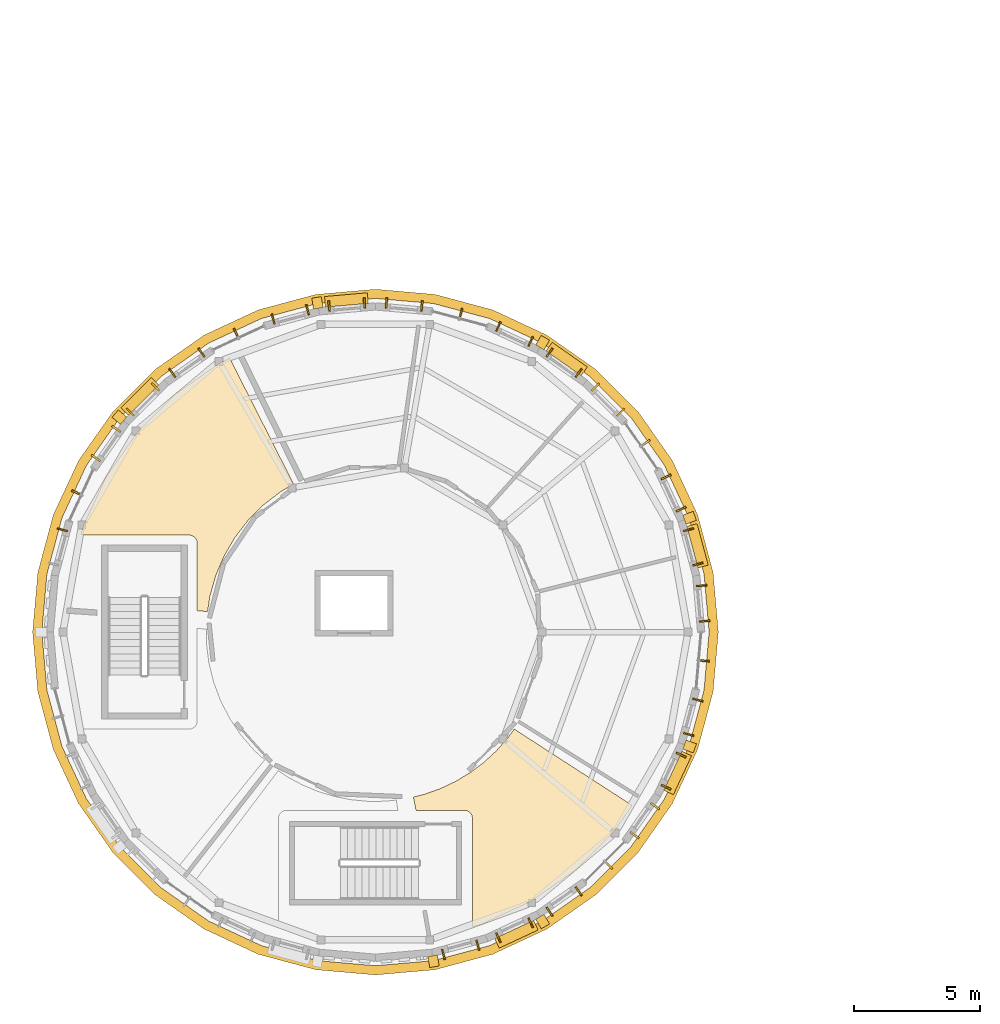
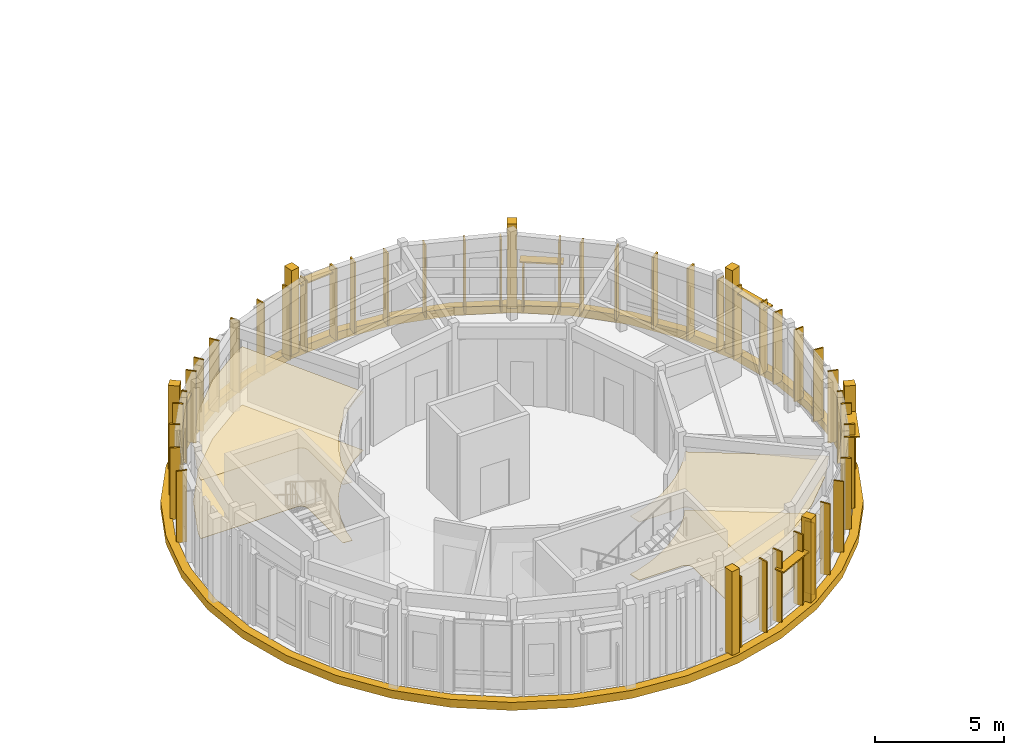
# One storey, part 31 of 37: 49 shading devices, 12 coverings.
"""IFC4 building model written with IfcOpenShell, lengths in metres."""

from ifc_helpers import new_model, si_unit, direction, frame, origin, origin_2d, place, context, subcontext, project, spatial, polyline, rectangle, outline, extrude, material, layer, layer_set, type_object, element, save


model = new_model("IFC4")

# Units and contexts
model_context = context("Model", 3, precision=1e-05, world=origin(), true_north=direction((0.0, 1.0)))
body_context = subcontext(model_context, "Body", "Model", "MODEL_VIEW")
ifc_project = project(units=[si_unit("LENGTHUNIT", "METRE"), si_unit("AREAUNIT", "SQUARE_METRE"), si_unit("VOLUMEUNIT", "CUBIC_METRE"), si_unit("PLANEANGLEUNIT", "RADIAN"), si_unit("MASSUNIT", "GRAM", prefix="KILO")], contexts=[model_context])

# Site, building, storey
site_placement = place(None, origin())
site = spatial("IfcSite", under=ifc_project, at=site_placement, CompositionType="ELEMENT")
building_placement = place(site_placement, origin())
building = spatial("IfcBuilding", under=site, at=building_placement, Name="Aldenvaro Health Centre", CompositionType="ELEMENT")
storey_placement = place(building_placement, frame((0.0, 0.0, 12.949951171875)))
storey = spatial("IfcBuildingStorey", under=building, at=storey_placement, Name="L03", CompositionType="ELEMENT", Elevation=12.949951171875)

# Coverings
ifc_material_1 = material(Name="Antimicrobial Mineral Fibre Ceiling")
ifc_layer_1 = layer(ifc_material_1, 0.01806640625, Name="Antimicrobial Mineral Fibre Ceiling")
ifc_layer_set_1 = layer_set([ifc_layer_1], Name="Antimicrobial Mineral Fibre Ceiling")
covering_type_1 = type_object("IfcCoveringType", Name="COV-CLG-ACT18", PredefinedType="CEILING", material=ifc_layer_set_1)
covering_1_placement = place(storey_placement, frame((0.0, 0.0, 2.75)))
element("IfcCovering", 1, at=covering_1_placement, inside=storey, type_object=covering_type_1, Name="D5-L03-R01 Suspended Ceiling", PredefinedType="CEILING", context=body_context, shape_type="SweptSolid", body=[
    extrude(outline(polyline([(14.743896484375, 24.06005859375), (14.718994140625, 24.0419921875), (14.070068359375, 23.5390625), (14.047119140625, 23.51904296875), (13.467041015625, 22.93798828125), (13.447021484375, 22.9150390625), (12.946044921875, 22.264892578125), (12.928955078125, 22.239013671875), (12.513916015625, 21.531005859375), (12.5, 21.50390625), (12.177978515625, 20.7490234375), (12.16796875, 20.719970703125), (11.945068359375, 19.929931640625), (11.93798828125, 19.89990234375), (11.85009765625, 19.31103515625), (11.43994140625, 19.345947265625), (11.43994140625, 22.02001953125), (11.43994140625, 22.031982421875), (11.43896484375, 22.0400390625), (11.43701171875, 22.06298828125), (11.43603515625, 22.071044921875), (11.430908203125, 22.093994140625), (11.428955078125, 22.10205078125), (11.423095703125, 22.1240234375), (11.419921875, 22.131103515625), (11.410888671875, 22.153076171875), (11.407958984375, 22.159912109375), (11.39599609375, 22.180908203125), (11.39208984375, 22.18798828125), (11.37890625, 22.20703125), (11.375, 22.214111328125), (11.360107421875, 22.23193359375), (11.35400390625, 22.238037109375), (11.337890625, 22.25390625), (11.33203125, 22.260009765625), (11.31396484375, 22.27490234375), (11.306884765625, 22.279052734375), (11.2880859375, 22.2919921875), (11.281005859375, 22.2958984375), (11.260009765625, 22.30810546875), (11.2529296875, 22.31103515625), (11.23095703125, 22.320068359375), (11.22412109375, 22.322998046875), (11.201904296875, 22.3291015625), (11.194091796875, 22.3310546875), (11.1708984375, 22.3359375), (11.1630859375, 22.3369140625), (11.139892578125, 22.339111328125), (11.132080078125, 22.340087890625), (11.1201171875, 22.340087890625), (6.823974609375, 22.340087890625), (6.924072265625, 22.712890625), (7.8310546875, 24.658935546875), (9.06298828125, 26.4189453125), (10.5810546875, 27.93701171875), (12.341064453125, 29.1689453125), (12.72705078125, 29.34912109375), (15.257080078125, 24.362060546875), (14.743896484375, 24.06005859375)])), origin(), (0.0, 0.0, 1.0), 0.01806640625),
])
covering_2_placement = place(storey_placement, frame((0.0, 0.0, 2.75)))
element("IfcCovering", 2, at=covering_2_placement, inside=storey, type_object=covering_type_1, Name="D5-L03-R04 Suspended Ceiling", PredefinedType="CEILING", context=body_context, shape_type="SweptSolid", body=[
    extrude(outline(polyline([(20.4140625, 12.069091796875), (20.43701171875, 12.075927734375), (21.051025390625, 12.2939453125), (21.072998046875, 12.302978515625), (21.6630859375, 12.58203125), (21.68408203125, 12.593994140625), (22.241943359375, 12.930908203125), (22.261962890625, 12.944091796875), (22.782958984375, 13.3349609375), (22.802001953125, 13.35107421875), (23.281005859375, 13.79296875), (23.298095703125, 13.81005859375), (23.73095703125, 14.298095703125), (23.74609375, 14.31689453125), (23.993896484375, 14.659912109375), (28.673095703125, 11.633056640625), (27.93701171875, 10.5810546875), (26.4189453125, 9.06298828125), (24.658935546875, 7.8310546875), (22.712890625, 6.924072265625), (22.340087890625, 6.823974609375), (22.340087890625, 11.1201171875), (22.340087890625, 11.132080078125), (22.339111328125, 11.139892578125), (22.3369140625, 11.1630859375), (22.3359375, 11.1708984375), (22.3310546875, 11.194091796875), (22.3291015625, 11.201904296875), (22.322998046875, 11.22412109375), (22.320068359375, 11.23095703125), (22.31103515625, 11.2529296875), (22.30810546875, 11.260009765625), (22.2958984375, 11.281005859375), (22.2919921875, 11.2880859375), (22.279052734375, 11.306884765625), (22.27490234375, 11.31396484375), (22.260009765625, 11.33203125), (22.25390625, 11.337890625), (22.238037109375, 11.35400390625), (22.23193359375, 11.360107421875), (22.214111328125, 11.375), (22.20703125, 11.37890625), (22.18798828125, 11.39208984375), (22.180908203125, 11.39599609375), (22.159912109375, 11.407958984375), (22.153076171875, 11.410888671875), (22.131103515625, 11.419921875), (22.1240234375, 11.423095703125), (22.10205078125, 11.428955078125), (22.093994140625, 11.430908203125), (22.071044921875, 11.43603515625), (22.06298828125, 11.43701171875), (22.0400390625, 11.43896484375), (22.031982421875, 11.43994140625), (22.02001953125, 11.43994140625), (20.10400390625, 11.43994140625), (20.001953125, 11.968017578125), (20.4140625, 12.069091796875)])), origin(), (0.0, 0.0, 1.0), 0.01806640625),
])
ifc_material_2 = material(Name="Honed Sonoran Buff Limestone", Category="masonry")
ifc_layer_2 = layer(ifc_material_2, 0.280029296875, Name="Honed Sonoran Buff Limestone", Category="masonry")
ifc_layer_set_2 = layer_set([ifc_layer_2], Name="Honed Sonoran Buff Limestone")
covering_type_2 = type_object("IfcCoveringType", Name="COV-CRN-STN", PredefinedType="CLADDING", material=ifc_layer_set_2)
covering_3_placement = place(storey_placement, frame((0.0, 0.0, -0.33984375)))
element("IfcCovering", 3, at=covering_3_placement, inside=storey, type_object=covering_type_2, Name="D5 L03 Classical Stone Entablature Cornice 1", PredefinedType="CLADDING", context=body_context, shape_type="SweptSolid", body=[
    extrude(outline(polyline([(32.080078125, 18.5), (31.8740234375, 20.85791015625), (31.260986328125, 23.14501953125), (30.260986328125, 25.2900390625), (28.903076171875, 27.22900390625), (27.22900390625, 28.903076171875), (25.2900390625, 30.260986328125), (23.14501953125, 31.260986328125), (20.85791015625, 31.8740234375), (18.5, 32.080078125), (16.14208984375, 31.8740234375), (13.85498046875, 31.260986328125), (11.7099609375, 30.260986328125), (9.77099609375, 28.903076171875), (8.096923828125, 27.22900390625), (6.739013671875, 25.2900390625), (5.739013671875, 23.14501953125), (5.1259765625, 20.85791015625), (4.919921875, 18.5), (5.1259765625, 16.14208984375), (5.739013671875, 13.85498046875), (6.739013671875, 11.7099609375), (8.096923828125, 9.77099609375), (9.77099609375, 8.096923828125), (11.7099609375, 6.739013671875), (13.85498046875, 5.739013671875), (16.14208984375, 5.1259765625), (18.5, 4.919921875), (20.85791015625, 5.1259765625), (23.14501953125, 5.739013671875), (25.2900390625, 6.739013671875), (27.22900390625, 8.096923828125), (28.903076171875, 9.77099609375), (30.260986328125, 11.7099609375), (31.260986328125, 13.85498046875), (31.8740234375, 16.14208984375), (32.080078125, 18.5)]), holes=[polyline([(31.715087890625, 18.5), (31.513916015625, 16.205078125), (30.91796875, 13.97998046875), (29.945068359375, 11.89208984375), (28.623046875, 10.006103515625), (26.993896484375, 8.376953125), (25.10791015625, 7.054931640625), (23.02001953125, 6.08203125), (20.794921875, 5.486083984375), (18.5, 5.284912109375), (16.205078125, 5.486083984375), (13.97998046875, 6.08203125), (11.89208984375, 7.054931640625), (10.006103515625, 8.376953125), (8.376953125, 10.006103515625), (7.054931640625, 11.89208984375), (6.08203125, 13.97998046875), (5.486083984375, 16.205078125), (5.284912109375, 18.5), (5.486083984375, 20.794921875), (6.08203125, 23.02001953125), (7.054931640625, 25.10693359375), (8.376953125, 26.993896484375), (10.006103515625, 28.623046875), (11.89306640625, 29.945068359375), (13.97998046875, 30.91796875), (16.205078125, 31.513916015625), (18.5, 31.715087890625), (20.794921875, 31.513916015625), (23.02001953125, 30.91796875), (25.10791015625, 29.945068359375), (26.993896484375, 28.623046875), (28.623046875, 26.993896484375), (29.945068359375, 25.10693359375), (30.91796875, 23.02001953125), (31.513916015625, 20.794921875), (31.715087890625, 18.5)])]), origin(), (0.0, 0.0, 1.0), 0.3798828125),
])
for number, where, z_axis, x_axis, name in (
    (4, (30.94189453125, 13.971923828125, -0.00048828125), (0.0, 0.0, 1.0), (0.939693796234, -0.34201691379, 0.0), "D5 L03 Engaged Classical Limestone Pilaster 02"),
    (5, (25.1201171875, 7.033935546875, -0.00048828125), (0.0, 0.0, 1.0), (0.499990860177, -0.8660306806, 0.0), "D5 L03 Engaged Classical Limestone Pilaster 04"),
    (6, (20.799072265625, 5.4609375, -0.00048828125), (0.0, 0.0, 1.0), (0.173643819888, -0.984808521396, 0.0), "D5 L03 Engaged Classical Limestone Pilaster 05"),
    (7, (8.35791015625, 27.010986328125, -0.00048828125), (0.0, 0.0, 1.0), (-0.76604377724, 0.642788403249, 0.0), "D5 L03 Engaged Classical Limestone Pilaster 12"),
    (8, (16.200927734375, 31.5390625, -0.00048828125), (0.0, 0.0, 1.0), (-0.173643819888, 0.984808521396, 0.0), "D5 L03 Engaged Classical Limestone Pilaster 14"),
    (9, (25.1201171875, 29.966064453125, -0.00048828125), (0.0, 0.0, 1.0), (0.499990860177, 0.8660306806, 0.0), "D5 L03 Engaged Classical Limestone Pilaster 16"),
    (10, (30.94189453125, 23.028076171875, -0.00048828125), (0.0, 0.0, 1.0), (0.939693796234, 0.34201691379, 0.0), "D5 L03 Engaged Classical Limestone Pilaster 18"),
):
    element("IfcCovering", number, at=place(storey_placement, frame(where, z_axis=z_axis, x_axis=x_axis)), inside=storey, type_object=covering_type_2, Name=name, PredefinedType="CLADDING", context=body_context, shape_type="SweptSolid", body=[
        extrude(rectangle(XDim=0.43994140625, YDim=0.3798828125, at=origin_2d()), origin(), (0.0, 0.0, 1.0), 3.9951171875),
    ])
ifc_material_3 = material(Name="Polished Epoxy Terrazzo Flooring")
ifc_layer_3 = layer(ifc_material_3, 0.02197265625, Name="Polished Epoxy Terrazzo Flooring")
ifc_layer_set_3 = layer_set([ifc_layer_3], Name="Polished Epoxy Terrazzo Flooring")
covering_type_3 = type_object("IfcCoveringType", Name="COV-FLR-TER22", PredefinedType="FLOORING", material=ifc_layer_set_3)
covering_4_placement = place(storey_placement, origin())
element("IfcCovering", 11, at=covering_4_placement, inside=storey, type_object=covering_type_3, Name="D5-L03-R04 Flooring", PredefinedType="FLOORING", context=body_context, shape_type="SweptSolid", body=[
    extrude(outline(polyline([(20.4140625, 12.069091796875), (20.43701171875, 12.075927734375), (21.051025390625, 12.2939453125), (21.072998046875, 12.302978515625), (21.6630859375, 12.58203125), (21.68408203125, 12.593994140625), (22.241943359375, 12.930908203125), (22.261962890625, 12.944091796875), (22.782958984375, 13.3349609375), (22.802001953125, 13.35107421875), (23.281005859375, 13.79296875), (23.298095703125, 13.81005859375), (23.73095703125, 14.298095703125), (23.74609375, 14.31689453125), (23.993896484375, 14.659912109375), (28.673095703125, 11.633056640625), (27.93701171875, 10.5810546875), (26.4189453125, 9.06298828125), (24.658935546875, 7.8310546875), (22.712890625, 6.924072265625), (22.340087890625, 6.823974609375), (22.340087890625, 11.1201171875), (22.340087890625, 11.132080078125), (22.339111328125, 11.139892578125), (22.3369140625, 11.1630859375), (22.3359375, 11.1708984375), (22.3310546875, 11.194091796875), (22.3291015625, 11.201904296875), (22.322998046875, 11.22412109375), (22.320068359375, 11.23095703125), (22.31103515625, 11.2529296875), (22.30810546875, 11.260009765625), (22.2958984375, 11.281005859375), (22.2919921875, 11.2880859375), (22.279052734375, 11.306884765625), (22.27490234375, 11.31396484375), (22.260009765625, 11.33203125), (22.25390625, 11.337890625), (22.238037109375, 11.35400390625), (22.23193359375, 11.360107421875), (22.214111328125, 11.375), (22.20703125, 11.37890625), (22.18798828125, 11.39208984375), (22.180908203125, 11.39599609375), (22.159912109375, 11.407958984375), (22.153076171875, 11.410888671875), (22.131103515625, 11.419921875), (22.1240234375, 11.423095703125), (22.10205078125, 11.428955078125), (22.093994140625, 11.430908203125), (22.071044921875, 11.43603515625), (22.06298828125, 11.43701171875), (22.0400390625, 11.43896484375), (22.031982421875, 11.43994140625), (22.02001953125, 11.43994140625), (20.10400390625, 11.43994140625), (20.001953125, 11.968017578125), (20.4140625, 12.069091796875)])), origin(), (0.0, 0.0, 1.0), 0.02197265625),
])
ifc_material_4 = material(Name="Seamless Homogeneous Sheet Vinyl")
ifc_layer_4 = layer(ifc_material_4, 0.013916015625, Name="Seamless Homogeneous Sheet Vinyl")
ifc_layer_set_4 = layer_set([ifc_layer_4], Name="Seamless Homogeneous Sheet Vinyl")
covering_type_4 = type_object("IfcCoveringType", Name="COV-FLR-VNL14", PredefinedType="FLOORING", material=ifc_layer_set_4)
covering_5_placement = place(storey_placement, origin())
element("IfcCovering", 12, at=covering_5_placement, inside=storey, type_object=covering_type_4, Name="D5-L03-R01 Flooring", PredefinedType="FLOORING", context=body_context, shape_type="SweptSolid", body=[
    extrude(outline(polyline([(14.743896484375, 24.06005859375), (14.718994140625, 24.0419921875), (14.070068359375, 23.5390625), (14.047119140625, 23.51904296875), (13.467041015625, 22.93798828125), (13.447021484375, 22.9150390625), (12.946044921875, 22.264892578125), (12.928955078125, 22.239013671875), (12.513916015625, 21.531005859375), (12.5, 21.50390625), (12.177978515625, 20.7490234375), (12.16796875, 20.719970703125), (11.945068359375, 19.929931640625), (11.93798828125, 19.89990234375), (11.85009765625, 19.31103515625), (11.43994140625, 19.345947265625), (11.43994140625, 22.02001953125), (11.43994140625, 22.031982421875), (11.43896484375, 22.0400390625), (11.43701171875, 22.06298828125), (11.43603515625, 22.071044921875), (11.430908203125, 22.093994140625), (11.428955078125, 22.10205078125), (11.423095703125, 22.1240234375), (11.419921875, 22.131103515625), (11.410888671875, 22.153076171875), (11.407958984375, 22.159912109375), (11.39599609375, 22.180908203125), (11.39208984375, 22.18798828125), (11.37890625, 22.20703125), (11.375, 22.214111328125), (11.360107421875, 22.23193359375), (11.35400390625, 22.238037109375), (11.337890625, 22.25390625), (11.33203125, 22.260009765625), (11.31396484375, 22.27490234375), (11.306884765625, 22.279052734375), (11.2880859375, 22.2919921875), (11.281005859375, 22.2958984375), (11.260009765625, 22.30810546875), (11.2529296875, 22.31103515625), (11.23095703125, 22.320068359375), (11.22412109375, 22.322998046875), (11.201904296875, 22.3291015625), (11.194091796875, 22.3310546875), (11.1708984375, 22.3359375), (11.1630859375, 22.3369140625), (11.139892578125, 22.339111328125), (11.132080078125, 22.340087890625), (11.1201171875, 22.340087890625), (6.823974609375, 22.340087890625), (6.924072265625, 22.712890625), (7.8310546875, 24.658935546875), (9.06298828125, 26.4189453125), (10.5810546875, 27.93701171875), (12.341064453125, 29.1689453125), (12.72705078125, 29.34912109375), (15.257080078125, 24.362060546875), (14.743896484375, 24.06005859375)])), origin(), (0.0, 0.0, 1.0), 0.01416015625),
])

# Shading devices
ifc_material_5 = material(Name="Douglas Fir Exterior Glulam GL28h", Category="wood")
shading_device_type_1 = type_object("IfcShadingDeviceType", Name="SHD-FIN-205", PredefinedType="USERDEFINED", material=ifc_material_5)
shading_device_placement = place(storey_placement, frame((25.39404296875, 29.573974609375, -0.02001953125), z_axis=(0.0, 0.0, 1.0), x_axis=(0.819106553991, -0.573641397746, 0.0)))
element("IfcShadingDevice", 13, at=shading_device_placement, inside=storey, type_object=shading_device_type_1, Name="D5 L03 Douglas fir fin 31.1", ObjectType="FIN", PredefinedType="USERDEFINED", context=body_context, shape_type="SweptSolid", body=[
    extrude(rectangle(XDim=0.06494140625, YDim=0.419921875, at=origin_2d()), origin(), (0.0, 0.0, 1.0), 2.050048828125),
])
shading_device_type_2 = type_object("IfcShadingDeviceType", Name="SHD-FIN-340", PredefinedType="USERDEFINED", material=ifc_material_5)
for number, where, z_axis, x_axis, name in (
    (14, (29.573974609375, 11.60595703125, -0.0205078125), (0.0, 0.0, 1.0), (-0.573641397746, -0.819106553991, 0.0), "D5 L03 Douglas fir fin 4.1"),
    (15, (28.76611328125, 10.451904296875, -0.0205078125), (0.0, 0.0, 1.0), (-0.573641397746, -0.819106553991, 0.0), "D5 L03 Douglas fir fin 4.3"),
    (16, (7.426025390625, 25.39404296875, -0.0205078125), (0.0, 0.0, 1.0), (0.573641397746, 0.819106553991, 0.0), "D5 L03 Douglas fir fin 22.1"),
    (17, (8.23388671875, 26.548095703125, -0.0205078125), (0.0, 0.0, 1.0), (0.573641397746, 0.819106553991, 0.0), "D5 L03 Douglas fir fin 22.3"),
    (18, (18.93408203125, 31.5380859375, -0.0205078125), (0.0, 0.0, 1.0), (0.996193717495, -0.087166950289, 0.0), "D5 L03 Douglas fir fin 28.1"),
    (19, (20.3369140625, 31.4150390625, -0.0205078125), (0.0, 0.0, 1.0), (0.996193717495, -0.087166950289, 0.0), "D5 L03 Douglas fir fin 28.3"),
    (20, (30.008056640625, 24.64306640625, -0.0205078125), (0.0, 0.0, 1.0), (0.422495879545, -0.906364844733, 0.0), "D5 L03 Douglas fir fin 34.1"),
    (21, (30.60302734375, 23.366943359375, -0.0205078125), (0.0, 0.0, 1.0), (0.422495879545, -0.906364844733, 0.0), "D5 L03 Douglas fir fin 34.3"),
):
    element("IfcShadingDevice", number, at=place(storey_placement, frame(where, z_axis=z_axis, x_axis=x_axis)), inside=storey, type_object=shading_device_type_2, Name=name, ObjectType="FIN", PredefinedType="USERDEFINED", context=body_context, shape_type="SweptSolid", body=[
        extrude(rectangle(XDim=0.074951171875, YDim=0.419921875, at=origin_2d()), origin(), (0.0, 0.0, 1.0), 3.388916015625),
    ])
shading_device_type_3 = type_object("IfcShadingDeviceType", Name="SHD-FIN-380", PredefinedType="USERDEFINED", material=ifc_material_5)
for number, where, z_axis, x_axis, name in (
    (22, (30.60302734375, 13.633056640625, -0.0205078125), (0.0, 0.0, 1.0), (-0.422495879545, -0.906364844733, 0.0), "D5 L03 Douglas fir fin 3.1"),
    (23, (30.008056640625, 12.35693359375, -0.0205078125), (0.0, 0.0, 1.0), (-0.422495879545, -0.906364844733, 0.0), "D5 L03 Douglas fir fin 3.3"),
    (24, (6.6630859375, 24.02001953125, -0.0205078125), (0.0, 0.0, 1.0), (0.422495879545, 0.906364844733, 0.0), "D5 L03 vertical timber fin 21.0"),
    (25, (16.6630859375, 31.4150390625, -0.0205078125), (0.0, 0.0, 1.0), (0.996193717495, 0.087166950289, 0.0), "D5 L03 Douglas fir fin 27.1"),
    (26, (18.06591796875, 31.5380859375, -0.0205078125), (0.0, 0.0, 1.0), (0.996193717495, 0.087166950289, 0.0), "D5 L03 Douglas fir fin 27.3"),
    (27, (29.198974609375, 25.990966796875, -0.0205078125), (0.0, 0.0, 1.0), (0.573641397746, -0.819106553991, 0.0), "D5 L03 vertical timber fin 33.0"),
):
    element("IfcShadingDevice", number, at=place(storey_placement, frame(where, z_axis=z_axis, x_axis=x_axis)), inside=storey, type_object=shading_device_type_3, Name=name, ObjectType="FIN", PredefinedType="USERDEFINED", context=body_context, shape_type="SweptSolid", body=[
        extrude(rectangle(XDim=0.074951171875, YDim=0.419921875, at=origin_2d()), origin(), (0.0, 0.0, 1.0), 3.388916015625),
    ])
shading_device_type_4 = type_object("IfcShadingDeviceType", Name="SHD-FIN-400", PredefinedType="USERDEFINED", material=ifc_material_5)
for number, where, z_axis, x_axis, name in (
    (28, (31.263916015625, 15.80908203125, -0.0205078125), (0.0, 0.0, 1.0), (-0.258825000966, -0.9659242304, 0.0), "D5 L03 Douglas fir fin 2.1"),
    (29, (30.89990234375, 14.447998046875, -0.0205078125), (0.0, 0.0, 1.0), (-0.258825000966, -0.9659242304, 0.0), "D5 L03 Douglas fir fin 2.3"),
    (30, (22.552001953125, 6.10009765625, -0.0205078125), (0.0, 0.0, 1.0), (-0.9659242304, -0.258825000966, 0.0), "D5 L03 Douglas fir fin 8.1"),
    (31, (21.19091796875, 5.736083984375, -0.0205078125), (0.0, 0.0, 1.0), (-0.9659242304, -0.258825000966, 0.0), "D5 L03 Douglas fir fin 8.3"),
    (32, (6.10009765625, 22.552001953125, -0.0205078125), (0.0, 0.0, 1.0), (0.258825000966, 0.9659242304, 0.0), "D5 L03 Douglas fir fin 20.3"),
    (33, (14.447998046875, 30.89990234375, -0.0205078125), (0.0, 0.0, 1.0), (0.9659242304, 0.258825000966, 0.0), "D5 L03 Douglas fir fin 26.1"),
    (34, (15.80908203125, 31.263916015625, -0.0205078125), (0.0, 0.0, 1.0), (0.9659242304, 0.258825000966, 0.0), "D5 L03 Douglas fir fin 26.3"),
    (35, (27.212890625, 28.208984375, -0.0205078125), (0.0, 0.0, 1.0), (0.707106781187, -0.707106781187, 0.0), "D5 L03 Douglas fir fin 32.1"),
    (36, (28.208984375, 27.212890625, -0.0205078125), (0.0, 0.0, 1.0), (0.707106781187, -0.707106781187, 0.0), "D5 L03 Douglas fir fin 32.3"),
):
    element("IfcShadingDevice", number, at=place(storey_placement, frame(where, z_axis=z_axis, x_axis=x_axis)), inside=storey, type_object=shading_device_type_4, Name=name, ObjectType="FIN", PredefinedType="USERDEFINED", context=body_context, shape_type="SweptSolid", body=[
        extrude(rectangle(XDim=0.06494140625, YDim=0.419921875, at=origin_2d()), origin(), (0.0, 0.0, 1.0), 3.388916015625),
    ])
shading_device_type_5 = type_object("IfcShadingDeviceType", Name="SHD-FIN-420", PredefinedType="USERDEFINED", material=ifc_material_5)
for number, where, z_axis, x_axis, name in (
    (37, (31.510986328125, 17.362060546875, -0.0205078125), (0.0, 0.0, 1.0), (-0.087166950289, -0.996193717495, 0.0), "D5 L03 vertical timber fin 1.0"),
    (38, (24.64306640625, 6.991943359375, -0.0205078125), (0.0, 0.0, 1.0), (-0.906364844733, -0.422495879545, 0.0), "D5 L03 Douglas fir fin 7.1"),
    (39, (23.366943359375, 6.39697265625, -0.0205078125), (0.0, 0.0, 1.0), (-0.906364844733, -0.422495879545, 0.0), "D5 L03 Douglas fir fin 7.3"),
    (40, (12.97998046875, 30.3369140625, -0.0205078125), (0.0, 0.0, 1.0), (0.906364844733, 0.422495879545, 0.0), "D5 L03 vertical timber fin 25.0"),
    (41, (26.548095703125, 28.76611328125, -0.0205078125), (0.0, 0.0, 1.0), (0.819106553991, -0.573641397746, 0.0), "D5 L03 Douglas fir fin 31.3"),
):
    element("IfcShadingDevice", number, at=place(storey_placement, frame(where, z_axis=z_axis, x_axis=x_axis)), inside=storey, type_object=shading_device_type_5, Name=name, ObjectType="FIN", PredefinedType="USERDEFINED", context=body_context, shape_type="SweptSolid", body=[
        extrude(rectangle(XDim=0.06494140625, YDim=0.419921875, at=origin_2d()), origin(), (0.0, 0.0, 1.0), 3.388916015625),
    ])
shading_device_type_6 = type_object("IfcShadingDeviceType", Name="SHD-FIN-435", PredefinedType="USERDEFINED", material=ifc_material_5)
for number, where, z_axis, x_axis, name in (
    (42, (26.548095703125, 8.23388671875, -0.0205078125), (0.0, 0.0, 1.0), (-0.819106553991, -0.573641397746, 0.0), "D5 L03 Douglas fir fin 6.1"),
    (43, (25.39404296875, 7.426025390625, -0.0205078125), (0.0, 0.0, 1.0), (-0.819106553991, -0.573641397746, 0.0), "D5 L03 Douglas fir fin 6.3"),
    (44, (10.451904296875, 28.76611328125, -0.0205078125), (0.0, 0.0, 1.0), (0.819106553991, 0.573641397746, 0.0), "D5 L03 Douglas fir fin 24.1"),
    (45, (11.60595703125, 29.573974609375, -0.0205078125), (0.0, 0.0, 1.0), (0.819106553991, 0.573641397746, 0.0), "D5 L03 Douglas fir fin 24.3"),
    (46, (23.366943359375, 30.60302734375, -0.0205078125), (0.0, 0.0, 1.0), (0.906364844733, -0.422495879545, 0.0), "D5 L03 Douglas fir fin 30.1"),
    (47, (24.64306640625, 30.008056640625, -0.0205078125), (0.0, 0.0, 1.0), (0.906364844733, -0.422495879545, 0.0), "D5 L03 Douglas fir fin 30.3"),
    (48, (31.4150390625, 20.3369140625, -0.0205078125), (0.0, 0.0, 1.0), (0.087166950289, -0.996193717495, 0.0), "D5 L03 Douglas fir fin 36.1"),
    (49, (31.5380859375, 18.93408203125, -0.0205078125), (0.0, 0.0, 1.0), (0.087166950289, -0.996193717495, 0.0), "D5 L03 Douglas fir fin 36.3"),
):
    element("IfcShadingDevice", number, at=place(storey_placement, frame(where, z_axis=z_axis, x_axis=x_axis)), inside=storey, type_object=shading_device_type_6, Name=name, ObjectType="FIN", PredefinedType="USERDEFINED", context=body_context, shape_type="SweptSolid", body=[
        extrude(rectangle(XDim=0.06494140625, YDim=0.419921875, at=origin_2d()), origin(), (0.0, 0.0, 1.0), 3.388916015625),
    ])
shading_device_type_7 = type_object("IfcShadingDeviceType", Name="SHD-FIN-455", PredefinedType="USERDEFINED", material=ifc_material_5)
for number, where, z_axis, x_axis, name in (
    (50, (27.735107421875, 9.264892578125, -0.0205078125), (0.0, 0.0, 1.0), (-0.707106781187, -0.707106781187, 0.0), "D5 L03 vertical timber fin 5.0"),
    (51, (8.791015625, 27.212890625, -0.0205078125), (0.0, 0.0, 1.0), (0.707106781187, 0.707106781187, 0.0), "D5 L03 Douglas fir fin 23.1"),
    (52, (9.787109375, 28.208984375, -0.0205078125), (0.0, 0.0, 1.0), (0.707106781187, 0.707106781187, 0.0), "D5 L03 Douglas fir fin 23.3"),
    (53, (21.8798828125, 31.115966796875, -0.0205078125), (0.0, 0.0, 1.0), (0.9659242304, -0.258825000966, 0.0), "D5 L03 vertical timber fin 29.0"),
    (54, (30.89990234375, 22.552001953125, -0.0205078125), (0.0, 0.0, 1.0), (0.258825000966, -0.9659242304, 0.0), "D5 L03 Douglas fir fin 35.1"),
    (55, (31.263916015625, 21.19091796875, -0.0205078125), (0.0, 0.0, 1.0), (0.258825000966, -0.9659242304, 0.0), "D5 L03 Douglas fir fin 35.3"),
):
    element("IfcShadingDevice", number, at=place(storey_placement, frame(where, z_axis=z_axis, x_axis=x_axis)), inside=storey, type_object=shading_device_type_7, Name=name, ObjectType="FIN", PredefinedType="USERDEFINED", context=body_context, shape_type="SweptSolid", body=[
        extrude(rectangle(XDim=0.06494140625, YDim=0.419921875, at=origin_2d()), origin(), (0.0, 0.0, 1.0), 3.388916015625),
    ])
shading_device_type_8 = type_object("IfcShadingDeviceType", Name="SHD-LVR-170", PredefinedType="JALOUSIE", material=ifc_material_5)
for number, where, z_axis, x_axis, name in (
    (56, (30.468994140625, 12.9189453125, 2.800048828125), (0.0, 0.0, 1.0), (-0.422495879545, -0.906364844733, 0.0), "D5 L03 horizontal solar louvre 03"),
    (57, (24.0810546875, 6.531005859375, 2.5), (0.0, 0.0, 1.0), (-0.906364844733, -0.422495879545, 0.0), "D5 L03 horizontal solar louvre 07"),
    (58, (9.162109375, 27.837890625, 2.25), (0.0, 0.0, 1.0), (0.707106781187, 0.707106781187, 0.0), "D5 L03 horizontal solar louvre 23"),
    (59, (17.34912109375, 31.656005859375, 3.050048828125), (0.0, 0.0, 1.0), (0.996193717495, 0.087166950289, 0.0), "D5 L03 horizontal solar louvre 27"),
    (60, (26.073974609375, 29.318115234375, 2.14990234375), (0.0, 0.0, 1.0), (0.819106553991, -0.573641397746, 0.0), "D5 L03 horizontal solar louvre 31"),
    (61, (31.256103515625, 21.91796875, 3.0), (0.0, 0.0, 1.0), (0.258825000966, -0.9659242304, 0.0), "D5 L03 horizontal solar louvre 35"),
):
    element("IfcShadingDevice", number, at=place(storey_placement, frame(where, z_axis=z_axis, x_axis=x_axis)), inside=storey, type_object=shading_device_type_8, Name=name, PredefinedType="JALOUSIE", context=body_context, shape_type="SweptSolid", body=[
        extrude(rectangle(XDim=1.699951171875, YDim=0.419921875, at=origin_2d()), origin(), (0.0, 0.0, 1.0), 0.06005859375),
    ])

save(model, "model.ifc")
